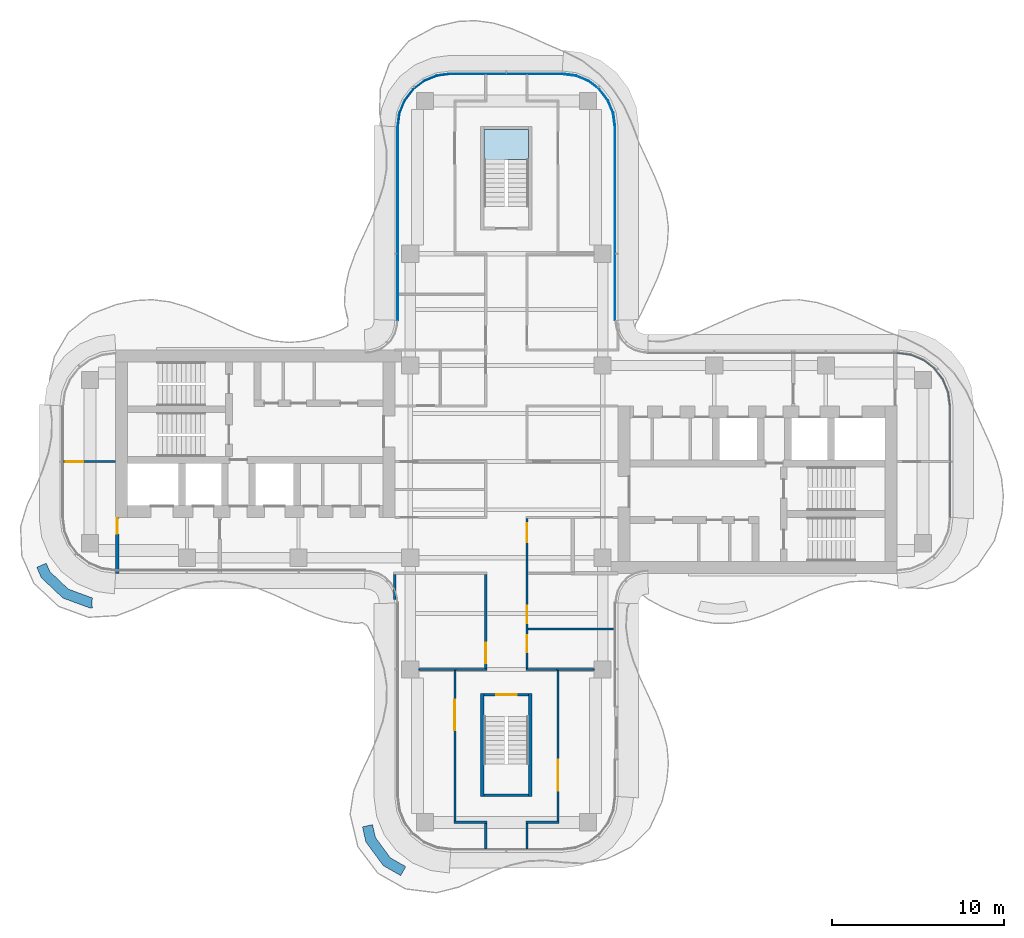
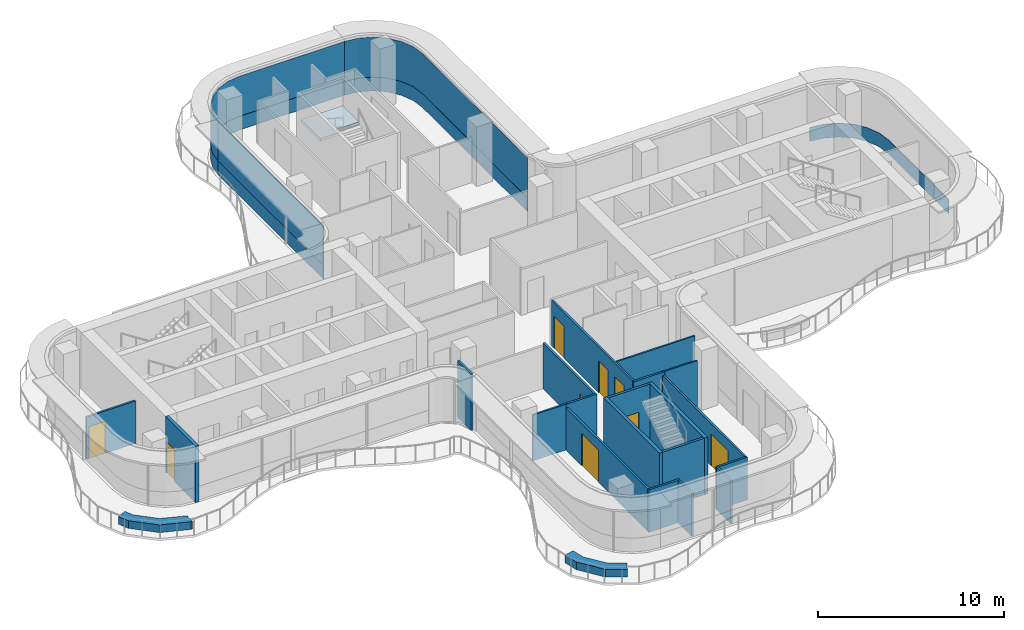
# One storey, part 10 of 16: 22 walls, 9 doors, 7 plates, 1 slab, 9 openings, 5 elements without a shape of their own.
"""IFC4 building model written with IfcOpenShell, lengths in metres."""

import ifcopenshell
import ifcopenshell.guid

model = None  # the IFC model being written
_history = None  # IfcOwnerHistory: only IFC2X3 demands one
_inside = {}  # id of a spatial element -> (the spatial element, [elements in it])
_under = {}  # id of a project, library or spatial element -> (it, [spatial elements below it])
_declared = {}  # id of a project -> (the project, [libraries it declares])
_typed = {}  # id of a type object -> (the type object, [elements of that type])
_made_of = {}  # id of a material, layer set ... -> (it, [elements and type objects made of it])


def new_model(schema):
    """Start an empty IFC model of exactly this schema.

    Asked for "IFC4X3", IfcOpenShell would pick the latest addendum, in which some entities
    have other attributes; the version numbers below select the first issue.
    IFC2X3 requires an IfcOwnerHistory on every rooted entity: one is made here for all.
    """
    global model, _history
    if schema == "IFC4X3":
        model = ifcopenshell.file(schema_version=(4, 3, 0, 0))
    else:
        model = ifcopenshell.file(schema=schema)
    _inside.clear()
    _under.clear()
    _declared.clear()
    _typed.clear()
    _made_of.clear()
    _history = None
    if model.schema == "IFC2X3":
        org = make("IfcOrganization", Name="unknown")
        user = make(
            "IfcPersonAndOrganization",
            ThePerson=make("IfcPerson", FamilyName="unknown"),
            TheOrganization=org,
        )
        app = make(
            "IfcApplication",
            ApplicationDeveloper=org,
            Version="unknown",
            ApplicationFullName="unknown",
            ApplicationIdentifier="unknown",
        )
        _history = make(
            "IfcOwnerHistory",
            OwningUser=user,
            OwningApplication=app,
            ChangeAction="ADDED",
            CreationDate=0,
        )
    return model


def make(cls, **values):
    """One entity of the class cls with the attributes given. An attribute that is None is left unset."""
    return model.create_entity(
        cls, **{name: value for name, value in values.items() if value is not None}
    )


def rooted(cls, **values):
    """An entity with a GlobalId (a new one), such as an element, a storey or a relation."""
    return make(cls, GlobalId=ifcopenshell.guid.new(), OwnerHistory=_history, **values)


def si_unit(unit_type, name, prefix=None):
    """IfcSIUnit, for example si_unit("LENGTHUNIT", "METRE", prefix="MILLI")."""
    return make("IfcSIUnit", UnitType=unit_type, Prefix=prefix, Name=name)


def assignment(units):
    """IfcUnitAssignment: the units of a project."""
    return None if units is None else make("IfcUnitAssignment", Units=units)


def point(xyz):
    """IfcCartesianPoint."""
    return None if xyz is None else make("IfcCartesianPoint", Coordinates=xyz)


def direction(xyz):
    """IfcDirection."""
    return None if xyz is None else make("IfcDirection", DirectionRatios=xyz)


def frame(location, z_axis=None, x_axis=None):
    """IfcAxis2Placement3D, a coordinate frame: its origin and axes. An axis left out is left unset."""
    return make(
        "IfcAxis2Placement3D",
        Location=point(location),
        Axis=direction(z_axis),
        RefDirection=direction(x_axis),
    )


def frame_2d(location, x_axis=None):
    """IfcAxis2Placement2D, a coordinate frame in the plane: its origin and x axis."""
    return make(
        "IfcAxis2Placement2D", Location=point(location), RefDirection=direction(x_axis)
    )


def origin():
    """The frame at (0, 0, 0) with its axes left unset."""
    return frame((0.0, 0.0, 0.0))


def place(relative_to, where):
    """IfcLocalPlacement: puts the frame where relative to a parent placement (None: the world)."""
    return make(
        "IfcLocalPlacement", PlacementRelTo=relative_to, RelativePlacement=where
    )


def context(
    kind, dimensions, precision=None, world=None, true_north=None, identifier=None
):
    """IfcGeometricRepresentationContext, for example the 3D "Model" context."""
    return make(
        "IfcGeometricRepresentationContext",
        ContextIdentifier=identifier,
        ContextType=kind,
        CoordinateSpaceDimension=dimensions,
        Precision=precision,
        WorldCoordinateSystem=world,
        TrueNorth=true_north,
    )


def subcontext(parent, identifier, kind, view, scale=None):
    """IfcGeometricRepresentationSubContext, for example "Body" below "Model"."""
    return make(
        "IfcGeometricRepresentationSubContext",
        ContextIdentifier=identifier,
        ContextType=kind,
        ParentContext=parent,
        TargetScale=scale,
        TargetView=view,
    )


def project(units=None, contexts=None):
    """IfcProject with its units and contexts."""
    return rooted(
        "IfcProject",
        Name="project",
        RepresentationContexts=contexts,
        UnitsInContext=assignment(units),
    )


def spatial(cls, under=None, at=None, **own):
    """A site, building, storey or space (cls), placed at a placement, below another one or the project."""
    s = rooted(cls, ObjectPlacement=at, **own)
    if under is not None:
        _under.setdefault(under.id(), (under, []))[1].append(s)
    return s


def polyline(points):
    """IfcPolyline through the points."""
    return make("IfcPolyline", Points=[point(p) for p in points])


def profile(cls, at=None, kind="AREA", **sizes):
    """A parametric profile (cls). Its sizes go by their IFC names, for example OverallWidth=200.0."""
    return make(cls, ProfileType=kind, Position=at, **sizes)


def rectangle(**sizes):
    """IfcRectangleProfileDef."""
    return profile("IfcRectangleProfileDef", **sizes)


def outline(outer, holes=None, kind="AREA"):
    """IfcArbitraryClosedProfileDef: a profile drawn as a closed curve; with holes, ...WithVoids."""
    if holes is None:
        return make("IfcArbitraryClosedProfileDef", ProfileType=kind, OuterCurve=outer)
    return make(
        "IfcArbitraryProfileDefWithVoids",
        ProfileType=kind,
        OuterCurve=outer,
        InnerCurves=holes,
    )


def extrude(swept, where, along, depth):
    """IfcExtrudedAreaSolid: the profile swept, set in the frame where, extruded along a direction by depth."""
    return make(
        "IfcExtrudedAreaSolid",
        SweptArea=swept,
        Position=where,
        ExtrudedDirection=direction(along),
        Depth=depth,
    )


def shape(context_of_items, identifier, shape_type, items):
    """IfcShapeRepresentation: the items that make up one representation, for example the "Body"."""
    return make(
        "IfcShapeRepresentation",
        ContextOfItems=context_of_items,
        RepresentationIdentifier=identifier,
        RepresentationType=shape_type,
        Items=items,
    )


def source(mapping_origin, context_of_items, identifier, shape_type, items):
    """IfcRepresentationMap: a shape defined once, which mapped items show again and again."""
    return make(
        "IfcRepresentationMap",
        MappingOrigin=mapping_origin,
        MappedRepresentation=shape(context_of_items, identifier, shape_type, items),
    )


def transform(
    local_origin,
    x_axis=None,
    y_axis=None,
    z_axis=None,
    scale=None,
    scale2=None,
    scale3=None,
    uniform=True,
):
    """IfcCartesianTransformationOperator3D, or its non-uniform kind. x_axis, y_axis, z_axis: its Axis1, 2, 3."""
    if uniform:
        return make(
            "IfcCartesianTransformationOperator3D",
            Axis1=direction(x_axis),
            Axis2=direction(y_axis),
            LocalOrigin=point(local_origin),
            Scale=scale,
            Axis3=direction(z_axis),
        )
    return make(
        "IfcCartesianTransformationOperator3DnonUniform",
        Axis1=direction(x_axis),
        Axis2=direction(y_axis),
        LocalOrigin=point(local_origin),
        Scale=scale,
        Axis3=direction(z_axis),
        Scale2=scale2,
        Scale3=scale3,
    )


def mapped(mapping_source, mapping_target):
    """IfcMappedItem: shows the shape of a source again, moved by a transform."""
    return make(
        "IfcMappedItem", MappingSource=mapping_source, MappingTarget=mapping_target
    )


def material(Name=None, Category=None):
    """IfcMaterial."""
    return make("IfcMaterial", Name=Name, Category=Category)


def layer(
    of_material, thickness, ventilated=None, Name=None, Category=None, Priority=None
):
    """IfcMaterialLayer: one layer of a wall or slab, of a material (None: an air gap)."""
    return make(
        "IfcMaterialLayer",
        Material=of_material,
        LayerThickness=thickness,
        IsVentilated=ventilated,
        Name=Name,
        Category=Category,
        Priority=Priority,
    )


def layer_set(layers, Name=None):
    """IfcMaterialLayerSet."""
    return make("IfcMaterialLayerSet", MaterialLayers=layers, LayerSetName=Name)


def made_of(thing, what):
    """Note that an element or type object is made of a material, layer set ...; save() writes the relation."""
    if what is not None:
        _made_of.setdefault(what.id(), (what, []))[1].append(thing)
    return thing


def type_object(cls, material=None, **own):
    """A type object (cls), such as IfcWallType, which elements share."""
    return made_of(rooted(cls, **own), material)


def element(
    cls,
    number,
    at=None,
    inside=None,
    cuts=None,
    type_object=None,
    material=None,
    context=None,
    identifier="Body",
    shape_type=None,
    held_by="IfcProductDefinitionShape",
    body=None,
    shapes=None,
    **own,
):
    """One element of the class cls, such as IfcWall. Its Tag is "e" and its number.

    at: its placement. inside: the storey or other place that contains it. cuts: it is an
    opening in that element (IfcRelVoidsElement). A single representation is given by context,
    identifier, shape_type and body (its items); several are given by shapes. held_by: the class
    of the entity that holds the representations. save() writes the other relations.
    """
    e = rooted(cls, Tag="e%d" % number, ObjectPlacement=at, **own)
    if body is not None:
        shapes = [shape(context, identifier, shape_type, body)]
    if shapes is not None:
        e.Representation = make(held_by, Representations=shapes)
    if inside is not None:
        _inside.setdefault(inside.id(), (inside, []))[1].append(e)
    if cuts is not None:
        rooted(
            "IfcRelVoidsElement", RelatingBuildingElement=cuts, RelatedOpeningElement=e
        )
    if type_object is not None:
        _typed.setdefault(type_object.id(), (type_object, []))[1].append(e)
    return made_of(e, material)


def fill(opening, filler):
    """IfcRelFillsElement: the door or window that sits in an opening."""
    return rooted(
        "IfcRelFillsElement",
        RelatingOpeningElement=opening,
        RelatedBuildingElement=filler,
    )


def aggregate(whole, parts):
    """IfcRelAggregates: a whole, such as a stair, and the parts it consists of."""
    return rooted("IfcRelAggregates", RelatingObject=whole, RelatedObjects=parts)


def save(model, path):
    """Write the relations noted so far, then the file.

    IfcRelAggregates (storeys below a building ...), IfcRelContainedInSpatialStructure (elements
    in a storey), IfcRelDefinesByType, IfcRelAssociatesMaterial and IfcRelDeclares: one each for
    every whole, place, type object, material and project.
    """
    for whole, parts in _under.values():
        aggregate(whole, parts)
    for where, things in _inside.values():
        rooted(
            "IfcRelContainedInSpatialStructure",
            RelatedElements=things,
            RelatingStructure=where,
        )
    for kind, things in _typed.values():
        rooted("IfcRelDefinesByType", RelatedObjects=things, RelatingType=kind)
    for what, things in _made_of.values():
        rooted("IfcRelAssociatesMaterial", RelatedObjects=things, RelatingMaterial=what)
    for by, libraries in _declared.values():
        rooted("IfcRelDeclares", RelatingContext=by, RelatedDefinitions=libraries)
    model.write(path)


model = new_model("IFC4")

# Units and contexts
model_context = context("Model", 3, precision=1e-05, world=origin(), true_north=direction((0.0, 1.0)))
body_context = subcontext(model_context, "Body", "Model", "MODEL_VIEW")
ifc_project = project(units=[si_unit("LENGTHUNIT", "METRE"), si_unit("AREAUNIT", "SQUARE_METRE"), si_unit("VOLUMEUNIT", "CUBIC_METRE"), si_unit("PLANEANGLEUNIT", "RADIAN"), si_unit("MASSUNIT", "GRAM", prefix="KILO")], contexts=[model_context])

# Site, building, storey
site_placement = place(None, origin())
site = spatial("IfcSite", under=ifc_project, at=site_placement, CompositionType="ELEMENT")
building_placement = place(site_placement, origin())
building = spatial("IfcBuilding", under=site, at=building_placement, Name="Trellis Farm Tower", CompositionType="ELEMENT")
storey_placement = place(building_placement, frame((0.0, 0.0, 291.10009765625)))
storey = spatial("IfcBuildingStorey", under=building, at=storey_placement, Name="L65", CompositionType="ELEMENT", Elevation=291.10009765625)

# Stair, slab
ifc_material_1 = material(Name="Concrete C50/60", Category="concrete")
stair_type = type_object("IfcStairType", Name="CORE EXIT STAIR 22 RISERS 177 MM", PredefinedType="HALF_TURN_STAIR", material=ifc_material_1)
placement_1 = place(storey_placement, origin())
stair = element("IfcStair", 1, at=placement_1, inside=storey, type_object=stair_type, Name="Exit stair N", PredefinedType="HALF_TURN_STAIR")
ifc_layer_1 = layer(ifc_material_1, 0.18994140625)
ifc_layer_set_1 = layer_set([ifc_layer_1], Name="CORE STAIR LANDING 190 CONCRETE C50/60")
slab_type = type_object("IfcSlabType", Name="CORE STAIR LANDING 190 CONCRETE C50/60", PredefinedType="LANDING", material=ifc_layer_set_1)
shared_shape_1 = source(origin(), body_context, "Body", "SweptSolid", [
    extrude(outline(polyline([(-0.10009765625, 17.27197265625), (-1.300048828125, 17.27197265625), (-1.300048828125, 17.60009765625), (-1.300048828125, 19.35009765625), (1.300048828125, 19.35009765625), (1.300048828125, 17.60009765625), (1.300048828125, 17.590087890625), (0.10009765625, 17.590087890625), (0.10009765625, 17.60009765625), (-0.10009765625, 17.60009765625), (-0.10009765625, 17.27197265625)])), origin(), (0.0, 0.0, 1.0), 0.18994140625),
])
slab_placement = place(storey_placement, frame((0.0, 0.0, 1.760009765625)))
slab = element("IfcSlab", 2, at=slab_placement, type_object=slab_type, Name="STN landing 1", PredefinedType="LANDING", context=body_context, shape_type="MappedRepresentation", body=[
    mapped(shared_shape_1, transform((0.0, 0.0, 0.0))),
])
aggregate(stair, [slab])

# Curtain wall, plates
ifc_material_2 = material(Name="Aluminium and glass curtain wall", Category="aluminium")
ifc_layer_2 = layer(ifc_material_2, 0.18994140625)
ifc_layer_set_2 = layer_set([ifc_layer_2], Name="RIBBON CURTAIN WALL CW1")
curtain_wall_type = type_object("IfcCurtainWallType", Name="RIBBON CURTAIN WALL CW1", PredefinedType="NOTDEFINED", material=ifc_layer_set_2)
curtain_wall_1 = element("IfcCurtainWall", 3, at=placement_1, inside=storey, type_object=curtain_wall_type, Name="CW1 009", PredefinedType="NOTDEFINED")
ifc_material_3 = material(Name="Clear insulated glass", Category="glass")
ifc_layer_3 = layer(ifc_material_3, 0.0400390625)
ifc_layer_set_3 = layer_set([ifc_layer_3], Name="CW1 GLASS PANEL 40")
plate_type_1 = type_object("IfcPlateType", Name="CW1 GLASS PANEL 40", PredefinedType="CURTAIN_PANEL", material=ifc_layer_set_3)
shared_shape_2 = source(origin(), body_context, "Body", "SweptSolid", [
    extrude(outline(polyline([(6.35009765625, 8.2265625), (6.35009765625, 19.490234375), (6.2431640625, 20.302001953125), (5.93359375, 21.04931640625), (5.441162109375, 21.691162109375), (4.79931640625, 22.18359375), (4.052001953125, 22.4931640625), (3.240234375, 22.60009765625), (3.237548828125, 22.56005859375), (4.04150390625, 22.4541015625), (4.779296875, 22.148681640625), (5.41259765625, 21.66259765625), (5.898681640625, 21.029296875), (6.2041015625, 20.29150390625), (6.31005859375, 19.487548828125), (6.31005859375, 8.22509765625), (6.35009765625, 8.2265625)])), origin(), (0.0, 0.0, 1.0), 2.6201171875),
])
placement_2 = place(storey_placement, frame((0.0, 0.0, 0.89990234375)))
plate_1 = element("IfcPlate", 4, at=placement_2, type_object=plate_type_1, Name="PL1 009", PredefinedType="CURTAIN_PANEL", context=body_context, shape_type="MappedRepresentation", body=[
    mapped(shared_shape_2, transform((0.0, 0.0, 0.0))),
])
ifc_material_4 = material(Name="Sandstone faced insulated panel", Category="masonry")
ifc_layer_4 = layer(ifc_material_4, 0.050048828125)
ifc_layer_set_4 = layer_set([ifc_layer_4], Name="CW1 STONE SPANDREL PANEL 50")
plate_type_2 = type_object("IfcPlateType", Name="CW1 STONE SPANDREL PANEL 50", PredefinedType="CURTAIN_PANEL", material=ifc_layer_set_4)
shared_shape_3 = source(origin(), body_context, "Body", "SweptSolid", [
    extrude(outline(polyline([(6.35009765625, 8.2265625), (6.35009765625, 19.490234375), (6.2431640625, 20.302001953125), (5.93359375, 21.04931640625), (5.441162109375, 21.691162109375), (4.79931640625, 22.18359375), (4.052001953125, 22.4931640625), (3.240234375, 22.60009765625), (3.23681640625, 22.550048828125), (4.0390625, 22.4443359375), (4.774169921875, 22.139892578125), (5.405517578125, 21.655517578125), (5.889892578125, 21.024169921875), (6.1943359375, 20.2890625), (6.300048828125, 19.48681640625), (6.300048828125, 8.224853515625), (6.35009765625, 8.2265625)])), origin(), (0.0, 0.0, 1.0), 0.89990234375),
])
plate_2 = element("IfcPlate", 5, at=placement_1, type_object=plate_type_2, Name="PS1 009", PredefinedType="CURTAIN_PANEL", context=body_context, shape_type="MappedRepresentation", body=[
    mapped(shared_shape_3, transform((0.0, 0.0, 0.0))),
])
aggregate(curtain_wall_1, [plate_1, plate_2])

curtain_wall_2 = element("IfcCurtainWall", 6, at=placement_1, inside=storey, type_object=curtain_wall_type, Name="CW1 010", PredefinedType="NOTDEFINED")
shared_shape_4 = source(origin(), body_context, "Body", "SweptSolid", [
    extrude(outline(polyline([(3.240234375, 22.60009765625), (-3.240234375, 22.60009765625), (-4.052001953125, 22.4931640625), (-4.79931640625, 22.18359375), (-5.441162109375, 21.691162109375), (-5.93359375, 21.04931640625), (-6.2431640625, 20.302001953125), (-6.35009765625, 19.490234375), (-6.31005859375, 19.487548828125), (-6.2041015625, 20.29150390625), (-5.898681640625, 21.029296875), (-5.41259765625, 21.66259765625), (-4.779296875, 22.148681640625), (-4.04150390625, 22.4541015625), (-3.237548828125, 22.56005859375), (3.237548828125, 22.56005859375), (3.240234375, 22.60009765625)])), origin(), (0.0, 0.0, 1.0), 2.6201171875),
])
plate_3 = element("IfcPlate", 7, at=placement_2, type_object=plate_type_1, Name="PL1 010", PredefinedType="CURTAIN_PANEL", context=body_context, shape_type="MappedRepresentation", body=[
    mapped(shared_shape_4, transform((0.0, 0.0, 0.0))),
])
shared_shape_5 = source(origin(), body_context, "Body", "SweptSolid", [
    extrude(outline(polyline([(3.240234375, 22.60009765625), (-3.240234375, 22.60009765625), (-4.052001953125, 22.4931640625), (-4.79931640625, 22.18359375), (-5.441162109375, 21.691162109375), (-5.93359375, 21.04931640625), (-6.2431640625, 20.302001953125), (-6.35009765625, 19.490234375), (-6.300048828125, 19.48681640625), (-6.1943359375, 20.2890625), (-5.889892578125, 21.024169921875), (-5.405517578125, 21.655517578125), (-4.774169921875, 22.139892578125), (-4.0390625, 22.4443359375), (-3.23681640625, 22.550048828125), (3.23681640625, 22.550048828125), (3.240234375, 22.60009765625)])), origin(), (0.0, 0.0, 1.0), 0.89990234375),
])
plate_4 = element("IfcPlate", 8, at=placement_1, type_object=plate_type_2, Name="PS1 010", PredefinedType="CURTAIN_PANEL", context=body_context, shape_type="MappedRepresentation", body=[
    mapped(shared_shape_5, transform((0.0, 0.0, 0.0))),
])
aggregate(curtain_wall_2, [plate_3, plate_4])

curtain_wall_3 = element("IfcCurtainWall", 9, at=placement_1, inside=storey, type_object=curtain_wall_type, Name="CW1 011", PredefinedType="NOTDEFINED")
shared_shape_6 = source(origin(), body_context, "Body", "SweptSolid", [
    extrude(outline(polyline([(-6.35009765625, 19.490234375), (-6.35009765625, 8.2265625), (-6.31005859375, 8.22509765625), (-6.31005859375, 19.487548828125), (-6.35009765625, 19.490234375)])), origin(), (0.0, 0.0, 1.0), 2.6201171875),
])
plate_5 = element("IfcPlate", 10, at=placement_2, type_object=plate_type_1, Name="PL1 011", PredefinedType="CURTAIN_PANEL", context=body_context, shape_type="MappedRepresentation", body=[
    mapped(shared_shape_6, transform((0.0, 0.0, 0.0))),
])
shared_shape_7 = source(origin(), body_context, "Body", "SweptSolid", [
    extrude(outline(polyline([(-6.35009765625, 19.490234375), (-6.35009765625, 8.2265625), (-6.300048828125, 8.224853515625), (-6.300048828125, 19.48681640625), (-6.35009765625, 19.490234375)])), origin(), (0.0, 0.0, 1.0), 0.89990234375),
])
plate_6 = element("IfcPlate", 11, at=placement_1, type_object=plate_type_2, Name="PS1 011", PredefinedType="CURTAIN_PANEL", context=body_context, shape_type="MappedRepresentation", body=[
    mapped(shared_shape_7, transform((0.0, 0.0, 0.0))),
])
aggregate(curtain_wall_3, [plate_5, plate_6])

# Curtain wall, plate
curtain_wall_4 = element("IfcCurtainWall", 12, at=placement_1, inside=storey, type_object=curtain_wall_type, Name="CW1 007", PredefinedType="NOTDEFINED")
shared_shape_8 = source(origin(), body_context, "Body", "SweptSolid", [
    extrude(outline(polyline([(25.85009765625, -3.240234375), (25.85009765625, 3.240234375), (25.7431640625, 4.052001953125), (25.43359375, 4.79931640625), (24.941162109375, 5.441162109375), (24.29931640625, 5.93359375), (23.552001953125, 6.2431640625), (22.740234375, 6.35009765625), (22.73681640625, 6.300048828125), (23.5390625, 6.1943359375), (24.274169921875, 5.889892578125), (24.905517578125, 5.405517578125), (25.389892578125, 4.774169921875), (25.6943359375, 4.0390625), (25.800048828125, 3.23681640625), (25.800048828125, -3.23681640625), (25.85009765625, -3.240234375)])), origin(), (0.0, 0.0, 1.0), 0.89990234375),
])
plate_7 = element("IfcPlate", 13, at=placement_1, type_object=plate_type_2, Name="PS1 007", PredefinedType="CURTAIN_PANEL", context=body_context, shape_type="MappedRepresentation", body=[
    mapped(shared_shape_8, transform((0.0, 0.0, 0.0))),
])
aggregate(curtain_wall_4, [plate_7])

# Walls
ifc_material_5 = material(Name="Sandstone faced masonry planter", Category="masonry")
ifc_layer_5 = layer(ifc_material_5, 0.60009765625)
ifc_layer_set_5 = layer_set([ifc_layer_5], Name="PLANTER BED 600")
wall_type_1 = type_object("IfcWallType", Name="PLANTER BED 600", PredefinedType="USERDEFINED", material=ifc_layer_set_5)
element("IfcWall", 14, at=placement_1, inside=storey, type_object=wall_type_1, Name="PLANTER bed", ObjectType="PLANTER", PredefinedType="USERDEFINED", context=body_context, shape_type="SweptSolid", body=[
    extrude(outline(polyline([(-24.2314453125, -8.530517578125), (-25.83154296875, -7.940673828125), (-27.080078125, -6.758056640625), (-27.3447265625, -6.15478515625), (-26.79541015625, -5.91357421875), (-26.579345703125, -6.40576171875), (-25.508544921875, -7.42041015625), (-24.083984375, -7.9453125), (-24.138427734375, -8.085693359375), (-24.109375, -8.522216796875), (-24.2314453125, -8.530517578125)])), origin(), (0.0, 0.0, 1.0), 0.5),
])
element("IfcWall", 15, at=placement_1, inside=storey, type_object=wall_type_1, Name="PLANTER bed", ObjectType="PLANTER", PredefinedType="USERDEFINED", context=body_context, shape_type="SweptSolid", body=[
    extrude(outline(polyline([(-8.181884765625, -22.146240234375), (-8.38232421875, -21.26708984375), (-7.79736328125, -21.1337890625), (-7.624755859375, -21.890869140625), (-6.755126953125, -23.0703125), (-5.858642578125, -23.580078125), (-6.1552734375, -24.101806640625), (-7.162353515625, -23.52880859375), (-8.181884765625, -22.146240234375)])), origin(), (0.0, 0.0, 1.0), 0.5),
])

# Wall, opening, door
ifc_material_6 = material(Name="Masonry blockwork", Category="masonry")
ifc_layer_6 = layer(ifc_material_6, 0.199951171875)
ifc_layer_set_6 = layer_set([ifc_layer_6], Name="FIRE LOBBY PARTITION 200 BLOCKWORK")
wall_type_2 = type_object("IfcWallType", Name="FIRE LOBBY PARTITION 200 BLOCKWORK", PredefinedType="PARTITIONING", material=ifc_layer_set_6)
shared_shape_9 = source(origin(), body_context, "Body", "SweptSolid", [
    extrude(rectangle(XDim=3.25, YDim=0.199951171875, at=frame_2d((1.625, 0.0))), origin(), (0.0, 0.0, 1.0), 3.699951171875),
])
wall_3_placement = place(storey_placement, frame((-22.64990234375, -3.25, 0.0), z_axis=(0.0, 0.0, 1.0), x_axis=(0.0, -1.0, 0.0)))
wall_3 = element("IfcWall", 16, at=wall_3_placement, inside=storey, type_object=wall_type_2, Name="Fire-fighting lobby partition", PredefinedType="PARTITIONING", context=body_context, shape_type="MappedRepresentation", body=[
    mapped(shared_shape_9, transform((0.0, 0.0, 0.0))),
])
shared_shape_10 = source(origin(), body_context, "Body", "SweptSolid", [
    extrude(rectangle(XDim=0.89990234375, YDim=2.10009765625, at=frame_2d((0.449951171875, 1.050048828125))), frame((0.0, 0.110107421875, 0.0), z_axis=(0.0, -1.0, 0.0), x_axis=(1.0, 0.0, 0.0)), (0.0, 0.0, 1.0), 0.22021484375),
])
opening_1_placement = place(wall_3_placement, frame((0.050048828125, 0.0, 0.0)))
opening_1 = element("IfcOpeningElement", 17, at=opening_1_placement, cuts=wall_3, Name="Opening DC94", PredefinedType="OPENING", context=body_context, shape_type="MappedRepresentation", body=[
    mapped(shared_shape_10, transform((0.0, 0.0, 0.0))),
])
ifc_material_7 = material(Name="Steel", Category="steel")
door_type_1 = type_object("IfcDoorType", Name="CORE FIRE DOOR 900 X 2100", OperationType="NOTDEFINED", PredefinedType="DOOR", material=ifc_material_7)
shared_shape_11 = source(origin(), body_context, "Body", "SweptSolid", [
    extrude(rectangle(XDim=0.89990234375, YDim=2.10009765625, at=frame_2d((0.449951171875, 1.050048828125))), frame((0.0, 0.02490234375, 0.0), z_axis=(0.0, -1.0, 0.0), x_axis=(1.0, 0.0, 0.0)), (0.0, 0.0, 1.0), 0.050048828125),
])
door_1_placement = place(opening_1_placement, origin())
door_1 = element("IfcDoor", 18, at=door_1_placement, inside=storey, type_object=door_type_1, Name="Core door", OperationType="SINGLE_SWING_RIGHT", OverallHeight=2.10009765625, OverallWidth=0.89990234375, PredefinedType="DOOR", context=body_context, shape_type="MappedRepresentation", body=[
    mapped(shared_shape_11, transform((0.0, 0.0, 0.0))),
])
fill(opening_1, door_1)

# Walls
ifc_layer_7 = layer(ifc_material_1, 0.199951171875)
ifc_layer_set_7 = layer_set([ifc_layer_7], Name="CORE STAIR ENCLOSURE WALL 200 CONCRETE C50/60")
wall_type_3 = type_object("IfcWallType", Name="CORE STAIR ENCLOSURE WALL 200 CONCRETE C50/60", PredefinedType="SHEAR", material=ifc_layer_set_7)
shared_shape_12 = source(origin(), body_context, "Body", "SweptSolid", [
    extrude(rectangle(XDim=6.0, YDim=0.199951171875, at=frame_2d((3.0, 0.0))), origin(), (0.0, 0.0, 1.0), 3.699951171875),
])
for number, where, z_axis, x_axis, name in (
    (19, (1.39990234375, -13.5, 0.0), (0.0, 0.0, 1.0), (0.0, -1.0, 0.0), "Stair enclosure wall"),
    (20, (-1.39990234375, -13.5, 0.0), (0.0, 0.0, 1.0), (0.0, -1.0, 0.0), "Stair enclosure wall"),
):
    element("IfcWall", number, at=place(storey_placement, frame(where, z_axis=z_axis, x_axis=x_axis)), inside=storey, type_object=wall_type_3, Name=name, PredefinedType="SHEAR", context=body_context, shape_type="MappedRepresentation", body=[
        mapped(shared_shape_12, transform((0.0, 0.0, 0.0))),
    ])

# Wall, opening, door
ifc_layer_8 = layer(ifc_material_1, 0.14990234375)
ifc_layer_set_8 = layer_set([ifc_layer_8], Name="CORE STAIR ENCLOSURE WALL 150 CONCRETE C50/60")
wall_type_4 = type_object("IfcWallType", Name="CORE STAIR ENCLOSURE WALL 150 CONCRETE C50/60", PredefinedType="SHEAR", material=ifc_layer_set_8)
shared_shape_13 = source(origin(), body_context, "Body", "SweptSolid", [
    extrude(rectangle(XDim=2.60009765625, YDim=0.14990234375, at=frame_2d((1.300048828125, 0.0))), origin(), (0.0, 0.0, 1.0), 3.699951171875),
])
wall_4_placement = place(storey_placement, frame((1.300048828125, -13.574951171875, 0.0), z_axis=(0.0, 0.0, 1.0), x_axis=(-1.0, 0.0, 0.0)))
wall_4 = element("IfcWall", 21, at=wall_4_placement, inside=storey, type_object=wall_type_4, Name="Stair enclosure wall", PredefinedType="SHEAR", context=body_context, shape_type="MappedRepresentation", body=[
    mapped(shared_shape_13, transform((0.0, 0.0, 0.0))),
])
shared_shape_14 = source(origin(), body_context, "Body", "SweptSolid", [
    extrude(rectangle(XDim=1.199951171875, YDim=2.10009765625, at=frame_2d((0.60009765625, 1.050048828125))), frame((0.0, 0.0849609375, 0.0), z_axis=(0.0, -1.0, 0.0), x_axis=(1.0, 0.0, 0.0)), (0.0, 0.0, 1.0), 0.169921875),
])
opening_2_placement = place(wall_4_placement, frame((0.699951171875, 0.0, 0.0)))
opening_2 = element("IfcOpeningElement", 22, at=opening_2_placement, cuts=wall_4, Name="Opening DC174", PredefinedType="OPENING", context=body_context, shape_type="MappedRepresentation", body=[
    mapped(shared_shape_14, transform((0.0, 0.0, 0.0))),
])
door_type_2 = type_object("IfcDoorType", Name="CORE FIRE DOOR 1200 X 2100", OperationType="NOTDEFINED", PredefinedType="DOOR", material=ifc_material_7)
shared_shape_15 = source(origin(), body_context, "Body", "SweptSolid", [
    extrude(rectangle(XDim=1.199951171875, YDim=2.10009765625, at=frame_2d((0.60009765625, 1.050048828125))), frame((0.0, 0.02490234375, 0.0), z_axis=(0.0, -1.0, 0.0), x_axis=(1.0, 0.0, 0.0)), (0.0, 0.0, 1.0), 0.050048828125),
])
door_2_placement = place(opening_2_placement, origin())
door_2 = element("IfcDoor", 23, at=door_2_placement, inside=storey, type_object=door_type_2, Name="Core door", OperationType="SINGLE_SWING_RIGHT", OverallHeight=2.10009765625, OverallWidth=1.199951171875, PredefinedType="DOOR", context=body_context, shape_type="MappedRepresentation", body=[
    mapped(shared_shape_15, transform((0.0, 0.0, 0.0))),
])
fill(opening_2, door_2)

# Wall
wall_5_placement = place(storey_placement, frame((1.300048828125, -19.425048828125, 0.0), z_axis=(0.0, 0.0, 1.0), x_axis=(-1.0, 0.0, 0.0)))
element("IfcWall", 24, at=wall_5_placement, inside=storey, type_object=wall_type_4, Name="Stair enclosure wall", PredefinedType="SHEAR", context=body_context, shape_type="MappedRepresentation", body=[
    mapped(shared_shape_13, transform((0.0, 0.0, 0.0))),
])

# Wall, opening, door
ifc_material_8 = material(Name="Plasterboard on steel studs, mineral wool", Category="steel")
ifc_layer_9 = layer(ifc_material_8, 0.125)
ifc_layer_set_9 = layer_set([ifc_layer_9], Name="PARTITION 125 STUD EI 60")
wall_type_5 = type_object("IfcWallType", Name="PARTITION 125 STUD EI 60", PredefinedType="PARTITIONING", material=ifc_layer_set_9)
shared_shape_16 = source(origin(), body_context, "Body", "SweptSolid", [
    extrude(rectangle(XDim=5.47509765625, YDim=0.125, at=frame_2d((2.737548828125, 0.0))), origin(), (0.0, 0.0, 1.0), 2.99658203125),
])
wall_6_placement = place(storey_placement, frame((-1.199951171875, -6.5625, 0.0), z_axis=(0.0, 0.0, 1.0), x_axis=(0.0, -1.0, 0.0)))
wall_6 = element("IfcWall", 25, at=wall_6_placement, inside=storey, type_object=wall_type_5, Name="Partition PW1", PredefinedType="PARTITIONING", context=body_context, shape_type="MappedRepresentation", body=[
    mapped(shared_shape_16, transform((0.0, 0.0, 0.0))),
])
shared_shape_17 = source(origin(), body_context, "Body", "SweptSolid", [
    extrude(rectangle(XDim=1.199951171875, YDim=2.10009765625, at=frame_2d((0.60009765625, 1.050048828125))), frame((0.0, 0.072509765625, 0.0), z_axis=(0.0, -1.0, 0.0), x_axis=(1.0, 0.0, 0.0)), (0.0, 0.0, 1.0), 0.14501953125),
])
opening_3_placement = place(wall_6_placement, frame((3.987548828125, 0.0, 0.0)))
opening_3 = element("IfcOpeningElement", 26, at=opening_3_placement, cuts=wall_6, Name="Opening D601", PredefinedType="OPENING", context=body_context, shape_type="MappedRepresentation", body=[
    mapped(shared_shape_17, transform((0.0, 0.0, 0.0))),
])
ifc_material_9 = material(Name="Fire-rated timber door leaf in a hollow metal frame", Category="wood")
door_type_3 = type_object("IfcDoorType", Name="DOOR 1200x2100 FD30S", OperationType="NOTDEFINED", PredefinedType="DOOR", material=ifc_material_9)
door_3_placement = place(opening_3_placement, origin())
door_3 = element("IfcDoor", 27, at=door_3_placement, inside=storey, type_object=door_type_3, Name="Door D601", OperationType="SINGLE_SWING_RIGHT", OverallHeight=2.10009765625, OverallWidth=1.199951171875, PredefinedType="DOOR", context=body_context, shape_type="MappedRepresentation", body=[
    mapped(shared_shape_15, transform((0.0, 0.0, 0.0))),
])
fill(opening_3, door_3)

# Wall
shared_shape_18 = source(origin(), body_context, "Body", "SweptSolid", [
    extrude(rectangle(XDim=1.468994140625, YDim=0.125, at=frame_2d((0.734375, 0.0))), origin(), (0.0, 0.0, 1.0), 3.699951171875),
])
wall_7_placement = place(storey_placement, frame((-6.5, -6.5625, 0.0), z_axis=(0.0, 0.0, 1.0), x_axis=(0.0, -1.0, 0.0)))
element("IfcWall", 28, at=wall_7_placement, inside=storey, type_object=wall_type_5, Name="Partition PW1", PredefinedType="PARTITIONING", context=body_context, shape_type="MappedRepresentation", body=[
    mapped(shared_shape_18, transform((0.0, 0.0, 0.0))),
])

# Wall, openings, doors
shared_shape_19 = source(origin(), body_context, "Body", "SweptSolid", [
    extrude(rectangle(XDim=8.72509765625, YDim=0.125, at=frame_2d((4.362548828125, 0.0))), origin(), (0.0, 0.0, 1.0), 2.99658203125),
])
wall_8_placement = place(storey_placement, frame((1.199951171875, -3.3125, 0.0), z_axis=(0.0, 0.0, 1.0), x_axis=(0.0, -1.0, 0.0)))
wall_8 = element("IfcWall", 29, at=wall_8_placement, inside=storey, type_object=wall_type_5, Name="Partition PW1", PredefinedType="PARTITIONING", context=body_context, shape_type="MappedRepresentation", body=[
    mapped(shared_shape_19, transform((0.0, 0.0, 0.0))),
])
shared_shape_20 = source(origin(), body_context, "Body", "SweptSolid", [
    extrude(rectangle(XDim=1.0, YDim=2.10009765625, at=frame_2d((0.5, 1.050048828125))), frame((0.0, 0.072509765625, 0.0), z_axis=(0.0, -1.0, 0.0), x_axis=(1.0, 0.0, 0.0)), (0.0, 0.0, 1.0), 0.14501953125),
])
opening_4_placement = place(wall_8_placement, frame((6.78759765625, 0.0, 0.0)))
opening_4 = element("IfcOpeningElement", 30, at=opening_4_placement, cuts=wall_8, Name="Opening D101", PredefinedType="OPENING", context=body_context, shape_type="MappedRepresentation", body=[
    mapped(shared_shape_20, transform((0.0, 0.0, 0.0))),
])
opening_5_placement = place(wall_8_placement, frame((5.08740234375, 0.0, 0.0)))
opening_5 = element("IfcOpeningElement", 31, at=opening_5_placement, cuts=wall_8, Name="Opening D102", PredefinedType="OPENING", context=body_context, shape_type="MappedRepresentation", body=[
    mapped(shared_shape_20, transform((0.0, 0.0, 0.0))),
])
shared_shape_21 = source(origin(), body_context, "Body", "SweptSolid", [
    extrude(rectangle(XDim=1.10009765625, YDim=2.10009765625, at=frame_2d((0.550048828125, 1.050048828125))), frame((0.0, 0.072509765625, 0.0), z_axis=(0.0, -1.0, 0.0), x_axis=(1.0, 0.0, 0.0)), (0.0, 0.0, 1.0), 0.14501953125),
])
opening_6_placement = place(wall_8_placement, frame((0.28759765625, 0.0, 0.0)))
opening_6 = element("IfcOpeningElement", 32, at=opening_6_placement, cuts=wall_8, Name="Opening D501", PredefinedType="OPENING", context=body_context, shape_type="MappedRepresentation", body=[
    mapped(shared_shape_21, transform((0.0, 0.0, 0.0))),
])
door_type_4 = type_object("IfcDoorType", Name="DOOR 1100x2100 FD30S", OperationType="NOTDEFINED", PredefinedType="DOOR", material=ifc_material_9)
shared_shape_22 = source(origin(), body_context, "Body", "SweptSolid", [
    extrude(rectangle(XDim=1.10009765625, YDim=2.10009765625, at=frame_2d((0.550048828125, 1.050048828125))), frame((0.0, 0.02490234375, 0.0), z_axis=(0.0, -1.0, 0.0), x_axis=(1.0, 0.0, 0.0)), (0.0, 0.0, 1.0), 0.050048828125),
])
door_4_placement = place(opening_6_placement, origin())
door_4 = element("IfcDoor", 33, at=door_4_placement, inside=storey, type_object=door_type_4, Name="Door D501", OperationType="SINGLE_SWING_LEFT", OverallHeight=2.10009765625, OverallWidth=1.10009765625, PredefinedType="DOOR", context=body_context, shape_type="MappedRepresentation", body=[
    mapped(shared_shape_22, transform((0.0, 0.0, 0.0))),
])
fill(opening_6, door_4)
door_type_5 = type_object("IfcDoorType", Name="DOOR 1000x2100 FD30S", OperationType="NOTDEFINED", PredefinedType="DOOR", material=ifc_material_9)
shared_shape_23 = source(origin(), body_context, "Body", "SweptSolid", [
    extrude(rectangle(XDim=1.0, YDim=2.10009765625, at=frame_2d((0.5, 1.050048828125))), frame((0.0, 0.02490234375, 0.0), z_axis=(0.0, -1.0, 0.0), x_axis=(1.0, 0.0, 0.0)), (0.0, 0.0, 1.0), 0.050048828125),
])
door_5_placement = place(opening_4_placement, origin())
door_5 = element("IfcDoor", 34, at=door_5_placement, inside=storey, type_object=door_type_5, Name="Door D101", OperationType="SINGLE_SWING_LEFT", OverallHeight=2.10009765625, OverallWidth=1.0, PredefinedType="DOOR", context=body_context, shape_type="MappedRepresentation", body=[
    mapped(shared_shape_23, transform((0.0, 0.0, 0.0))),
])
fill(opening_4, door_5)
door_6_placement = place(opening_5_placement, origin())
door_6 = element("IfcDoor", 35, at=door_6_placement, inside=storey, type_object=door_type_5, Name="Door D102", OperationType="SINGLE_SWING_RIGHT", OverallHeight=2.10009765625, OverallWidth=1.0, PredefinedType="DOOR", context=body_context, shape_type="MappedRepresentation", body=[
    mapped(shared_shape_23, transform((0.0, 0.0, 0.0))),
])
fill(opening_5, door_6)

# Walls
shared_shape_24 = source(origin(), body_context, "Body", "SweptSolid", [
    extrude(rectangle(XDim=1.925048828125, YDim=0.125, at=frame_2d((0.96240234375, 0.0))), origin(), (0.0, 0.0, 1.0), 2.99658203125),
])
for number, where, z_axis, x_axis, name in (
    (36, (-3.0625, -12.10009765625, 0.0), (0.0, 0.0, 1.0), (1.0, 0.0, 0.0), "Partition PW1"),
    (37, (1.137451171875, -12.10009765625, 0.0), (0.0, 0.0, 1.0), (1.0, 0.0, 0.0), "Partition PW1"),
):
    element("IfcWall", number, at=place(storey_placement, frame(where, z_axis=z_axis, x_axis=x_axis)), inside=storey, type_object=wall_type_5, Name=name, PredefinedType="PARTITIONING", context=body_context, shape_type="MappedRepresentation", body=[
        mapped(shared_shape_24, transform((0.0, 0.0, 0.0))),
    ])
ifc_material_10 = material(Name="Plasterboard on steel studs", Category="steel")
ifc_layer_10 = layer(ifc_material_10, 0.10009765625)
ifc_layer_set_10 = layer_set([ifc_layer_10], Name="PARTITION 100 STUD EI 30")
wall_type_6 = type_object("IfcWallType", Name="PARTITION 100 STUD EI 30", PredefinedType="PARTITIONING", material=ifc_layer_set_10)
shared_shape_25 = source(origin(), body_context, "Body", "SweptSolid", [
    extrude(rectangle(XDim=5.03759765625, YDim=0.10009765625, at=frame_2d((2.518798828125, 0.0))), origin(), (0.0, 0.0, 1.0), 2.77978515625),
])
wall_9_placement = place(storey_placement, frame((1.262451171875, -9.75, 0.0), z_axis=(0.0, 0.0, 1.0), x_axis=(1.0, 0.0, 0.0)))
element("IfcWall", 38, at=wall_9_placement, inside=storey, type_object=wall_type_6, Name="Partition PW2", PredefinedType="PARTITIONING", context=body_context, shape_type="MappedRepresentation", body=[
    mapped(shared_shape_25, transform((0.0, 0.0, 0.0))),
])
shared_shape_26 = source(origin(), body_context, "Body", "SweptSolid", [
    extrude(rectangle(XDim=1.487548828125, YDim=0.125, at=frame_2d((0.74365234375, 0.0))), origin(), (0.0, 0.0, 1.0), 2.77978515625),
])
for number, where, z_axis, x_axis, name in (
    (39, (-1.199951171875, -21.0625, 0.0), (0.0, 0.0, 1.0), (0.0, -1.0, 0.0), "Partition PW1"),
    (40, (1.199951171875, -21.0625, 0.0), (0.0, 0.0, 1.0), (0.0, -1.0, 0.0), "Partition PW1"),
):
    element("IfcWall", number, at=place(storey_placement, frame(where, z_axis=z_axis, x_axis=x_axis)), inside=storey, type_object=wall_type_5, Name=name, PredefinedType="PARTITIONING", context=body_context, shape_type="MappedRepresentation", body=[
        mapped(shared_shape_26, transform((0.0, 0.0, 0.0))),
    ])
shared_shape_27 = source(origin(), body_context, "Body", "SweptSolid", [
    extrude(rectangle(XDim=1.925048828125, YDim=0.125, at=frame_2d((0.96240234375, 0.0))), origin(), (0.0, 0.0, 1.0), 2.77978515625),
])
for number, where, z_axis, x_axis, name in (
    (41, (-1.137451171875, -21.0, 0.0), (0.0, 0.0, 1.0), (-1.0, 0.0, 0.0), "Partition PW1"),
    (42, (3.0625, -21.0, 0.0), (0.0, 0.0, 1.0), (-1.0, 0.0, 0.0), "Partition PW1"),
):
    element("IfcWall", number, at=place(storey_placement, frame(where, z_axis=z_axis, x_axis=x_axis)), inside=storey, type_object=wall_type_5, Name=name, PredefinedType="PARTITIONING", context=body_context, shape_type="MappedRepresentation", body=[
        mapped(shared_shape_27, transform((0.0, 0.0, 0.0))),
    ])

# Wall, opening, door
shared_shape_28 = source(origin(), body_context, "Body", "SweptSolid", [
    extrude(rectangle(XDim=8.78759765625, YDim=0.125, at=frame_2d((4.393798828125, 0.0))), origin(), (0.0, 0.0, 1.0), 2.77978515625),
])
wall_10_placement = place(storey_placement, frame((-3.0, -20.9375, 0.0), z_axis=(0.0, 0.0, 1.0), x_axis=(0.0, 1.0, 0.0)))
wall_10 = element("IfcWall", 43, at=wall_10_placement, inside=storey, type_object=wall_type_5, Name="Partition PW1", PredefinedType="PARTITIONING", context=body_context, shape_type="MappedRepresentation", body=[
    mapped(shared_shape_28, transform((0.0, 0.0, 0.0))),
])
shared_shape_29 = source(origin(), body_context, "Body", "SweptSolid", [
    extrude(rectangle(XDim=1.800048828125, YDim=2.10009765625, at=frame_2d((0.89990234375, 1.050048828125))), frame((0.0, 0.072509765625, 0.0), z_axis=(0.0, -1.0, 0.0), x_axis=(1.0, 0.0, 0.0)), (0.0, 0.0, 1.0), 0.14501953125),
])
opening_7_placement = place(wall_10_placement, frame((5.28759765625, 0.0, 0.0)))
opening_7 = element("IfcOpeningElement", 44, at=opening_7_placement, cuts=wall_10, Name="Opening D202", PredefinedType="OPENING", context=body_context, shape_type="MappedRepresentation", body=[
    mapped(shared_shape_29, transform((0.0, 0.0, 0.0))),
])
door_type_6 = type_object("IfcDoorType", Name="DOOR PAIR 1800x2100 FD30S", OperationType="NOTDEFINED", PredefinedType="DOOR", material=ifc_material_9)
shared_shape_30 = source(origin(), body_context, "Body", "SweptSolid", [
    extrude(rectangle(XDim=1.800048828125, YDim=2.10009765625, at=frame_2d((0.89990234375, 1.050048828125))), frame((0.0, 0.02490234375, 0.0), z_axis=(0.0, -1.0, 0.0), x_axis=(1.0, 0.0, 0.0)), (0.0, 0.0, 1.0), 0.050048828125),
])
door_7_placement = place(opening_7_placement, origin())
door_7 = element("IfcDoor", 45, at=door_7_placement, inside=storey, type_object=door_type_6, Name="Door D202", OperationType="DOUBLE_DOOR_SINGLE_SWING", OverallHeight=2.10009765625, OverallWidth=1.800048828125, PredefinedType="DOOR", context=body_context, shape_type="MappedRepresentation", body=[
    mapped(shared_shape_30, transform((0.0, 0.0, 0.0))),
])
fill(opening_7, door_7)

wall_11_placement = place(storey_placement, frame((3.0, -12.14990234375, 0.0), z_axis=(0.0, 0.0, 1.0), x_axis=(0.0, -1.0, 0.0)))
wall_11 = element("IfcWall", 46, at=wall_11_placement, inside=storey, type_object=wall_type_5, Name="Partition PW1", PredefinedType="PARTITIONING", context=body_context, shape_type="MappedRepresentation", body=[
    mapped(shared_shape_28, transform((0.0, 0.0, 0.0))),
])
opening_8_placement = place(wall_11_placement, frame((5.199951171875, 0.0, 0.0)))
opening_8 = element("IfcOpeningElement", 47, at=opening_8_placement, cuts=wall_11, Name="Opening D201", PredefinedType="OPENING", context=body_context, shape_type="MappedRepresentation", body=[
    mapped(shared_shape_29, transform((0.0, 0.0, 0.0))),
])
door_8_placement = place(opening_8_placement, origin())
door_8 = element("IfcDoor", 48, at=door_8_placement, inside=storey, type_object=door_type_6, Name="Door D201", OperationType="DOUBLE_DOOR_SINGLE_SWING", OverallHeight=2.10009765625, OverallWidth=1.800048828125, PredefinedType="DOOR", context=body_context, shape_type="MappedRepresentation", body=[
    mapped(shared_shape_30, transform((0.0, 0.0, 0.0))),
])
fill(opening_8, door_8)

shared_shape_31 = source(origin(), body_context, "Body", "SweptSolid", [
    extrude(rectangle(XDim=3.050048828125, YDim=0.125, at=frame_2d((1.52490234375, 0.0))), origin(), (0.0, 0.0, 1.0), 2.77978515625),
])
wall_12_placement = place(storey_placement, frame((-25.800048828125, 0.0, 0.0), z_axis=(0.0, 0.0, 1.0), x_axis=(1.0, 0.0, 0.0)))
wall_12 = element("IfcWall", 49, at=wall_12_placement, inside=storey, type_object=wall_type_5, Name="Partition PW1", PredefinedType="PARTITIONING", context=body_context, shape_type="MappedRepresentation", body=[
    mapped(shared_shape_31, transform((0.0, 0.0, 0.0))),
])
opening_9_placement = place(wall_12_placement, frame((0.14990234375, 0.0, 0.0)))
opening_9 = element("IfcOpeningElement", 50, at=opening_9_placement, cuts=wall_12, Name="Opening D104", PredefinedType="OPENING", context=body_context, shape_type="MappedRepresentation", body=[
    mapped(shared_shape_20, transform((0.0, 0.0, 0.0))),
])
door_9_placement = place(opening_9_placement, origin())
door_9 = element("IfcDoor", 51, at=door_9_placement, inside=storey, type_object=door_type_5, Name="Door D104", OperationType="SINGLE_SWING_LEFT", OverallHeight=2.10009765625, OverallWidth=1.0, PredefinedType="DOOR", context=body_context, shape_type="MappedRepresentation", body=[
    mapped(shared_shape_23, transform((0.0, 0.0, 0.0))),
])
fill(opening_9, door_9)

# Walls
shared_shape_32 = source(origin(), body_context, "Body", "SweptSolid", [
    extrude(rectangle(XDim=2.16259765625, YDim=0.10009765625, at=frame_2d((1.081298828125, 0.0))), origin(), (0.0, 0.0, 1.0), 2.99658203125),
])
for number, where, z_axis, x_axis, name in (
    (52, (-5.10009765625, -12.10009765625, 0.0), (0.0, 0.0, 1.0), (1.0, 0.0, 0.0), "Partition PW2"),
    (53, (2.9375, -12.10009765625, 0.0), (0.0, 0.0, 1.0), (1.0, 0.0, 0.0), "Partition PW2"),
):
    element("IfcWall", number, at=place(storey_placement, frame(where, z_axis=z_axis, x_axis=x_axis)), inside=storey, type_object=wall_type_6, Name=name, PredefinedType="PARTITIONING", context=body_context, shape_type="MappedRepresentation", body=[
        mapped(shared_shape_32, transform((0.0, 0.0, 0.0))),
    ])

save(model, "model.ifc")
